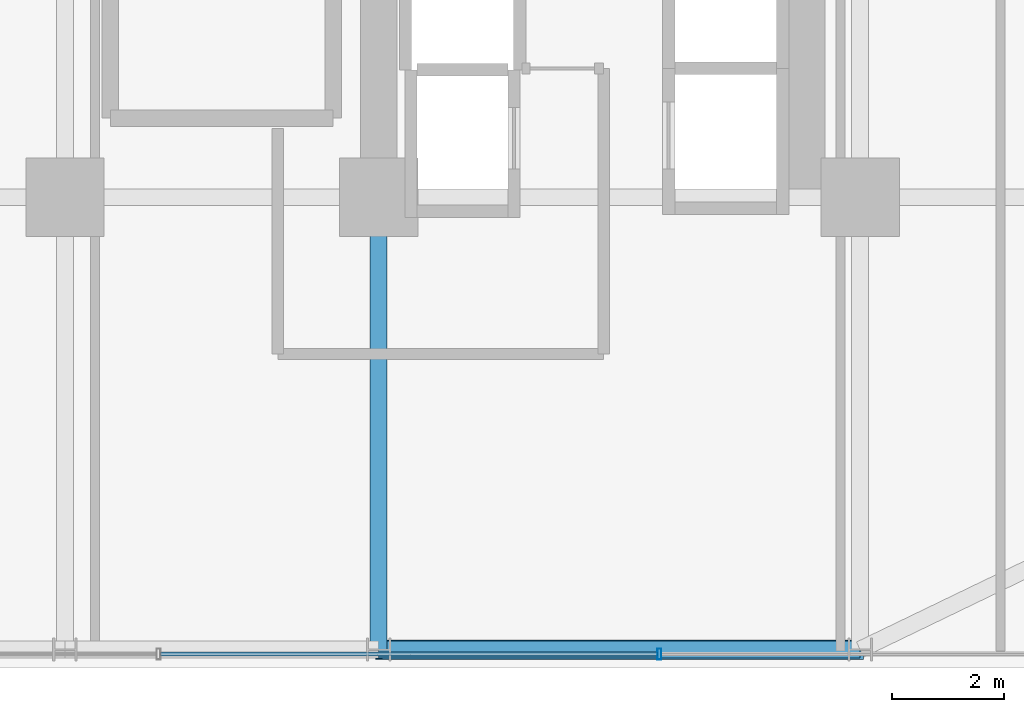
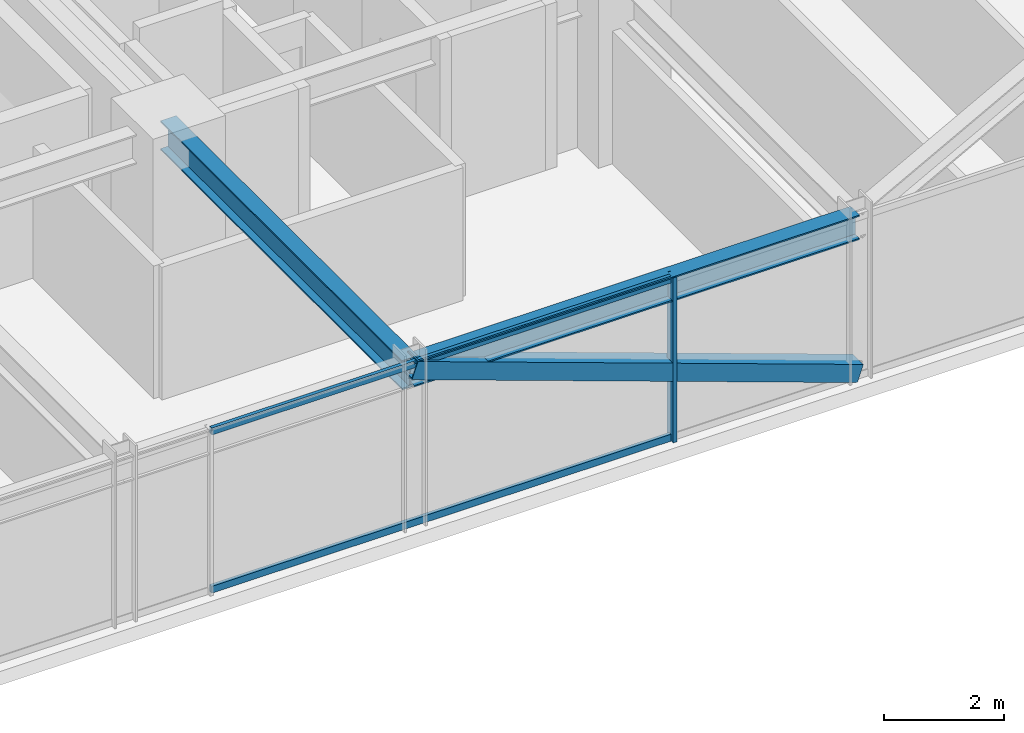
# One storey, part 14 of 41: 4 members, 2 beams, 1 element without a shape of its own.
"""IFC4 building model written with IfcOpenShell, lengths in metres."""

from ifc_helpers import new_model, si_unit, direction, frame, origin, origin_2d, place, context, subcontext, project, spatial, hollow_rectangle, i_section, extrude, source, transform, mapped, material, material_profile, profile_set, type_object, element, aggregate, save


model = new_model("IFC4")

# Units and contexts
model_context = context("Model", 3, precision=1e-05, world=origin(), true_north=direction((0.0, 1.0)))
body_context = subcontext(model_context, "Body", "Model", "MODEL_VIEW")
ifc_project = project(units=[si_unit("LENGTHUNIT", "METRE"), si_unit("AREAUNIT", "SQUARE_METRE"), si_unit("VOLUMEUNIT", "CUBIC_METRE"), si_unit("PLANEANGLEUNIT", "RADIAN"), si_unit("MASSUNIT", "GRAM", prefix="KILO")], contexts=[model_context])

# Site, building, storey
site_placement = place(None, origin())
site = spatial("IfcSite", under=ifc_project, at=site_placement, CompositionType="ELEMENT")
building_placement = place(site_placement, origin())
building = spatial("IfcBuilding", under=site, at=building_placement, Name="Nahalor Promenade Grand Hotel", CompositionType="ELEMENT")
storey_placement = place(building_placement, frame((0.0, 0.0, 54.300048828125)))
storey = spatial("IfcBuildingStorey", under=building, at=storey_placement, Name="L12", CompositionType="ELEMENT", Elevation=54.300048828125)

# Beams
ifc_material_1 = material(Name="Steel S355JR", Category="steel")
ifc_material_profile_1 = material_profile(ifc_material_1, i_section(OverallWidth=0.3, OverallDepth=0.5, WebThickness=0.0145, FlangeThickness=0.028, at=origin_2d()), Name="HEB 500")
ifc_profile_set_1 = profile_set([ifc_material_profile_1], Name="Steel S355JR")
beam_type_1 = type_object("IfcBeamType", Name="Beam-Spandrel-HEB500", PredefinedType="SPANDREL", material=ifc_profile_set_1)
shared_shape_1 = source(origin(), body_context, "Body", "SweptSolid", [
    extrude(i_section(OverallWidth=0.3, OverallDepth=0.5, WebThickness=0.0145, FlangeThickness=0.028, at=origin_2d()), origin(), (0.0, 0.0, 1.0), 8.60009765625),
])
beam_1_placement = place(storey_placement, frame((8.39990234375, -25.080078125, 3.119873046875), z_axis=(1.0, 0.0, 0.0), x_axis=(0.0, 1.0, 0.0)))
element("IfcBeam", 1, at=beam_1_placement, inside=storey, type_object=beam_type_1, Name="BM-L12-SP-S-4", PredefinedType="SPANDREL", context=body_context, shape_type="MappedRepresentation", body=[
    mapped(shared_shape_1, transform((0.0, 0.0, 0.0), scale=1.0)),
])
ifc_material_profile_2 = material_profile(ifc_material_1, i_section(OverallWidth=0.3, OverallDepth=0.6, WebThickness=0.0155, FlangeThickness=0.03, at=origin_2d()), Name="HEB 600")
ifc_profile_set_2 = profile_set([ifc_material_profile_2], Name="Steel S355JR")
beam_type_2 = type_object("IfcBeamType", Name="Beam-Girder-HEB600", PredefinedType="BEAM", material=ifc_profile_set_2)
shared_shape_2 = source(origin(), body_context, "Body", "SweptSolid", [
    extrude(i_section(OverallWidth=0.3, OverallDepth=0.6, WebThickness=0.0155, FlangeThickness=0.03, at=origin_2d()), origin(), (0.0, 0.0, 1.0), 8.080078125),
])
beam_2_placement = place(storey_placement, frame((8.39990234375, -25.080078125, 3.070068359375), z_axis=(0.0, 1.0, 0.0), x_axis=(-1.0, 0.0, 0.0)))
element("IfcBeam", 2, at=beam_2_placement, inside=storey, type_object=beam_type_2, Name="BM-L12-GY-4-0", PredefinedType="BEAM", context=body_context, shape_type="MappedRepresentation", body=[
    mapped(shared_shape_2, transform((0.0, 0.0, 0.0), scale=1.0)),
])

# Member
ifc_material_profile_3 = material_profile(ifc_material_1, hollow_rectangle(XDim=0.35, YDim=0.35, WallThickness=0.02, at=origin_2d()), Name="SHS 350x350x20")
ifc_profile_set_3 = profile_set([ifc_material_profile_3], Name="Steel S355JR")
member_type_1 = type_object("IfcMemberType", Name="Mem-VoidBrace-SHS350", PredefinedType="BRACE", material=ifc_profile_set_3)
shared_shape_3 = source(origin(), body_context, "Body", "SweptSolid", [
    extrude(hollow_rectangle(XDim=0.35, YDim=0.35, WallThickness=0.02, at=origin_2d()), origin(), (0.0, 0.0, 1.0), 9.131591796875),
])
member_1_placement = place(storey_placement, frame((17.0, -25.080078125, 0.14990234375), z_axis=(-0.941790292179, 0.0, 0.336200900589), x_axis=(0.0, -1.0, 0.0)))
element("IfcMember", 3, at=member_1_placement, inside=storey, type_object=member_type_1, Name="EXO-L12-S-1", PredefinedType="BRACE", context=body_context, shape_type="MappedRepresentation", body=[
    mapped(shared_shape_3, transform((0.0, 0.0, 0.0), scale=1.0)),
])

# Curtain wall, members
ifc_material_2 = material(Name="Anodised Bronze Aluminium EN AW-6063 T6", Category="aluminium")
curtain_wall_type = type_object("IfcCurtainWallType", Name="CW3 Elliptical-Void Collar Unitised Curtain Wall", PredefinedType="USERDEFINED", material=ifc_material_2)
curtain_wall_placement = place(storey_placement, origin())
curtain_wall = element("IfcCurtainWall", 4, at=curtain_wall_placement, inside=storey, type_object=curtain_wall_type, Name="L12 Curtain Wall CW-L12-S-1", ObjectType="UNITISED_CURTAIN_WALL", PredefinedType="USERDEFINED")
ifc_material_profile_4 = material_profile(ifc_material_2, hollow_rectangle(XDim=0.07, YDim=0.2, WallThickness=0.005, at=origin_2d()), Name="CWM 70x200x5")
ifc_profile_set_4 = profile_set([ifc_material_profile_4], Name="Anodised Bronze Aluminium EN AW-6063 T6")
member_type_2 = type_object("IfcMemberType", Name="CWM3 Void Collar Mullion 70x200", PredefinedType="MULLION", material=ifc_profile_set_4)
shared_shape_4 = source(origin(), body_context, "Body", "SweptSolid", [
    extrude(hollow_rectangle(XDim=0.07, YDim=0.2, WallThickness=0.005, at=origin_2d()), origin(), (0.0, 0.0, 1.0), 3.369873046875),
])
member_2_placement = place(storey_placement, frame((13.416015625, -25.159912109375, 0.0), z_axis=(0.0, 0.0, 1.0), x_axis=(1.0, 0.0, 0.0)))
member_2 = element("IfcMember", 5, at=member_2_placement, type_object=member_type_2, Name="CW-L12-S-1 Mullion 4", PredefinedType="MULLION", context=body_context, shape_type="MappedRepresentation", body=[
    mapped(shared_shape_4, transform((0.0, 0.0, 0.0), scale=1.0)),
])
ifc_material_profile_5 = material_profile(ifc_material_2, hollow_rectangle(XDim=0.07, YDim=0.14, WallThickness=0.004, at=origin_2d()), Name="CWT 70x140x4")
ifc_profile_set_5 = profile_set([ifc_material_profile_5], Name="Anodised Bronze Aluminium EN AW-6063 T6")
member_type_3 = type_object("IfcMemberType", Name="CWT3 Void Collar Transom 70x140", PredefinedType="USERDEFINED", material=ifc_profile_set_5)
shared_shape_5 = source(origin(), body_context, "Body", "SweptSolid", [
    extrude(hollow_rectangle(XDim=0.07, YDim=0.14, WallThickness=0.004, at=origin_2d()), origin(), (0.0, 0.0, 1.0), 8.8740234375),
])
member_3_placement = place(storey_placement, frame((4.507080078125, -25.159912109375, 0.070068359375), z_axis=(1.0, 0.0, 0.0), x_axis=(0.0, 1.0, 0.0)))
member_3 = element("IfcMember", 6, at=member_3_placement, type_object=member_type_3, Name="CW-L12-S-1 Transom 3-0", ObjectType="TRANSOM", PredefinedType="USERDEFINED", context=body_context, shape_type="MappedRepresentation", body=[
    mapped(shared_shape_5, transform((0.0, 0.0, 0.0), scale=1.0)),
])
member_4_placement = place(storey_placement, frame((4.507080078125, -25.159912109375, 3.300048828125), z_axis=(1.0, 0.0, 0.0), x_axis=(0.0, 1.0, 0.0)))
member_4 = element("IfcMember", 7, at=member_4_placement, type_object=member_type_3, Name="CW-L12-S-1 Transom 3-1", ObjectType="TRANSOM", PredefinedType="USERDEFINED", context=body_context, shape_type="MappedRepresentation", body=[
    mapped(shared_shape_5, transform((0.0, 0.0, 0.0), scale=1.0)),
])
aggregate(curtain_wall, [member_2, member_3, member_4])

save(model, "model.ifc")
